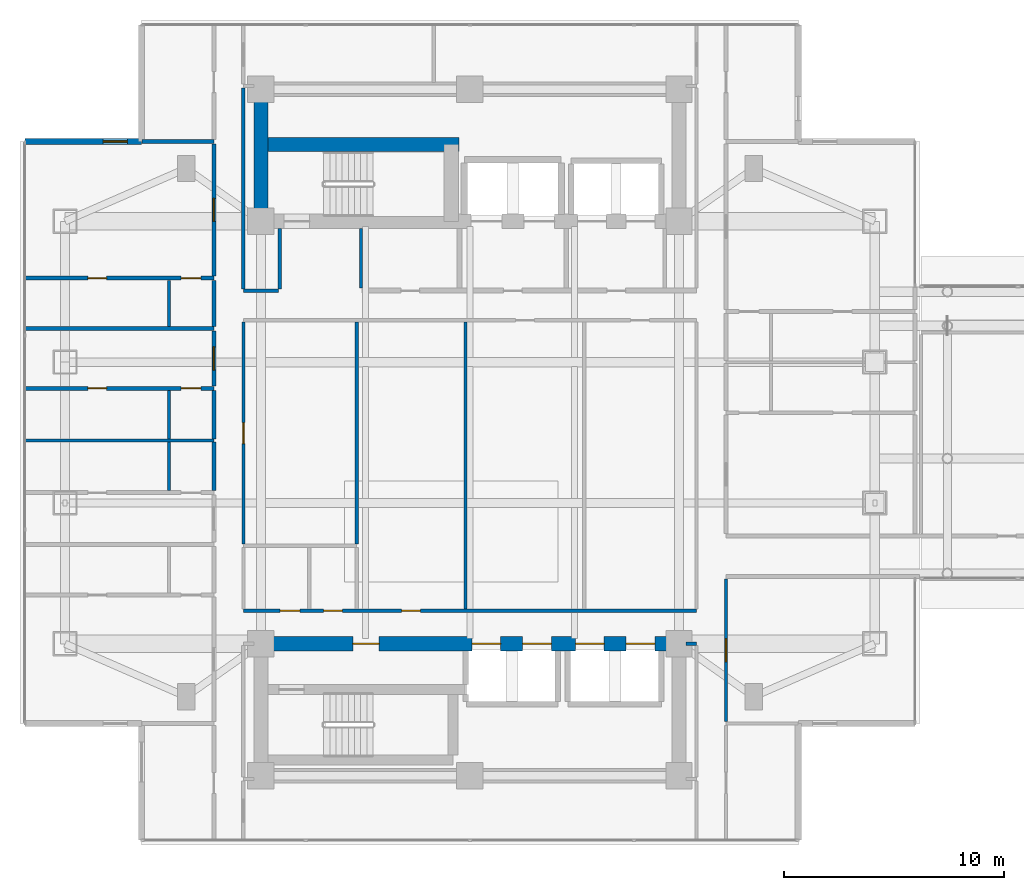
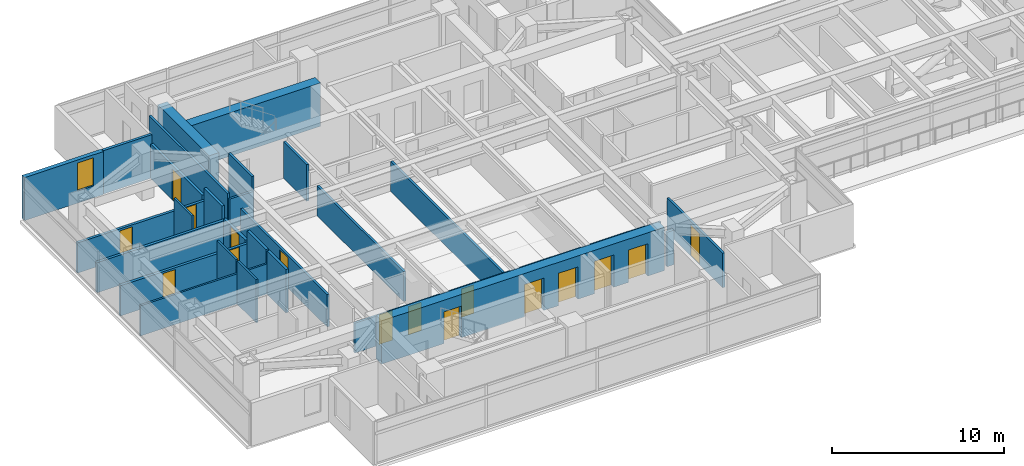
# One storey, part 16 of 29: 27 walls, 16 doors, 1 window, 17 openings.
"""IFC4 building model written with IfcOpenShell, lengths in metres."""

from ifc_helpers import new_model, si_unit, direction, frame, frame_2d, origin, place, context, subcontext, project, spatial, rectangle, extrude, material, layer, layer_set, type_object, element, fill, save


model = new_model("IFC4")

# Units and contexts
model_context = context("Model", 3, precision=1e-05, world=origin(), true_north=direction((0.0, 1.0)))
body_context = subcontext(model_context, "Body", "Model", "MODEL_VIEW")
ifc_project = project(units=[si_unit("LENGTHUNIT", "METRE"), si_unit("AREAUNIT", "SQUARE_METRE"), si_unit("VOLUMEUNIT", "CUBIC_METRE"), si_unit("PLANEANGLEUNIT", "RADIAN"), si_unit("MASSUNIT", "GRAM", prefix="KILO")], contexts=[model_context])

# Site, building, storey
site_placement = place(None, origin())
site = spatial("IfcSite", under=ifc_project, at=site_placement, CompositionType="ELEMENT")
building_placement = place(site_placement, origin())
building = spatial("IfcBuilding", under=site, at=building_placement, Name="Mirazonda Arch Towers", CompositionType="ELEMENT")
storey_placement = place(building_placement, frame((0.0, 0.0, 88.39990234375)))
storey = spatial("IfcBuildingStorey", under=building, at=storey_placement, Name="L24", CompositionType="ELEMENT", Elevation=88.39990234375)

# Walls
ifc_material_1 = material(Name="Concrete C60/75", Category="concrete")
ifc_layer_1 = layer(ifc_material_1, 0.64990234375, Name="WALL-CORE-650")
ifc_layer_set_1 = layer_set([ifc_layer_1], Name="Concrete C60/75")
wall_type_1 = type_object("IfcWallType", Name="WALL-CORE-650", PredefinedType="SHEAR", material=ifc_layer_set_1)
wall_1_placement = place(storey_placement, frame((11.0, 37.60009765625, 0.0), z_axis=(0.0, 0.0, 1.0), x_axis=(0.0, 1.0, 0.0)))
element("IfcWall", 1, at=wall_1_placement, inside=storey, type_object=wall_type_1, Name="L24 T1N-W Core Shear Wall", PredefinedType="SHEAR", context=body_context, shape_type="SweptSolid", body=[
    extrude(rectangle(XDim=6.0, YDim=0.64990234375, at=frame_2d((3.0, 0.0))), origin(), (0.0, 0.0, 1.0), 3.080078125),
])
wall_2_placement = place(storey_placement, frame((11.0, 41.093017578125, 0.0), z_axis=(0.0, 0.0, 1.0), x_axis=(1.0, 0.0, 0.0)))
element("IfcWall", 2, at=wall_2_placement, inside=storey, type_object=wall_type_1, Name="L24 T1N-STN Core Shear Wall", PredefinedType="SHEAR", context=body_context, shape_type="SweptSolid", body=[
    extrude(rectangle(XDim=9.0, YDim=0.64990234375, at=frame_2d((4.5, 0.0))), origin(), (0.0, 0.0, 1.0), 3.080078125),
])

# Wall, openings, doors
wall_3_placement = place(storey_placement, frame((11.0, 18.39990234375, 0.0), z_axis=(0.0, 0.0, 1.0), x_axis=(1.0, 0.0, 0.0)))
wall_3 = element("IfcWall", 3, at=wall_3_placement, inside=storey, type_object=wall_type_1, Name="L24 T1S-N Core Shear Wall", PredefinedType="SHEAR", context=body_context, shape_type="SweptSolid", body=[
    extrude(rectangle(XDim=19.0, YDim=0.64990234375, at=frame_2d((9.5, 0.0))), origin(), (0.0, 0.0, 1.0), 3.080078125),
])
opening_1_placement = place(wall_3_placement, frame((4.175048828125, 0.0, 0.0)))
opening_1 = element("IfcOpeningElement", 4, at=opening_1_placement, cuts=wall_3, Name="Opening DR-117", PredefinedType="OPENING", context=body_context, shape_type="SweptSolid", body=[
    extrude(rectangle(XDim=1.199951171875, YDim=2.25, at=frame_2d((0.60009765625, 1.125))), frame((0.0, 0.3349609375, 0.0), z_axis=(0.0, -1.0, 0.0), x_axis=(1.0, 0.0, 0.0)), (0.0, 0.0, 1.0), 0.669921875),
])
opening_2_placement = place(wall_3_placement, frame((9.60009765625, 0.0, 0.0)))
opening_2 = element("IfcOpeningElement", 5, at=opening_2_placement, cuts=wall_3, Name="Opening LD-111", PredefinedType="OPENING", context=body_context, shape_type="SweptSolid", body=[
    extrude(rectangle(XDim=1.300048828125, YDim=2.300048828125, at=frame_2d((0.64990234375, 1.14990234375))), frame((0.0, 0.3349609375, 0.0), z_axis=(0.0, -1.0, 0.0), x_axis=(1.0, 0.0, 0.0)), (0.0, 0.0, 1.0), 0.669921875),
])
opening_3_placement = place(wall_3_placement, frame((11.89990234375, 0.0, 0.0)))
opening_3 = element("IfcOpeningElement", 6, at=opening_3_placement, cuts=wall_3, Name="Opening LD-111", PredefinedType="OPENING", context=body_context, shape_type="SweptSolid", body=[
    extrude(rectangle(XDim=1.300048828125, YDim=2.300048828125, at=frame_2d((0.64990234375, 1.14990234375))), frame((0.0, 0.3349609375, 0.0), z_axis=(0.0, -1.0, 0.0), x_axis=(1.0, 0.0, 0.0)), (0.0, 0.0, 1.0), 0.669921875),
])
opening_4_placement = place(wall_3_placement, frame((14.300048828125, 0.0, 0.0)))
opening_4 = element("IfcOpeningElement", 7, at=opening_4_placement, cuts=wall_3, Name="Opening LD-111", PredefinedType="OPENING", context=body_context, shape_type="SweptSolid", body=[
    extrude(rectangle(XDim=1.300048828125, YDim=2.300048828125, at=frame_2d((0.64990234375, 1.14990234375))), frame((0.0, 0.3349609375, 0.0), z_axis=(0.0, -1.0, 0.0), x_axis=(1.0, 0.0, 0.0)), (0.0, 0.0, 1.0), 0.669921875),
])
opening_5_placement = place(wall_3_placement, frame((16.60009765625, 0.0, 0.0)))
opening_5 = element("IfcOpeningElement", 8, at=opening_5_placement, cuts=wall_3, Name="Opening LD-111", PredefinedType="OPENING", context=body_context, shape_type="SweptSolid", body=[
    extrude(rectangle(XDim=1.300048828125, YDim=2.300048828125, at=frame_2d((0.64990234375, 1.14990234375))), frame((0.0, 0.3349609375, 0.0), z_axis=(0.0, -1.0, 0.0), x_axis=(1.0, 0.0, 0.0)), (0.0, 0.0, 1.0), 0.669921875),
])
ifc_material_2 = material(Name="Architectural Brushed Steel S355", Category="steel")
door_type_1 = type_object("IfcDoorType", Name="DOOR-FFL-FD90-1200", OperationType="NOTDEFINED", PredefinedType="DOOR", material=ifc_material_2)
door_1_placement = place(opening_1_placement, origin())
door_1 = element("IfcDoor", 9, at=door_1_placement, inside=storey, type_object=door_type_1, Name="L24 South Core Stair & Lift Lobby Door", OperationType="SINGLE_SWING_RIGHT", OverallHeight=2.25, OverallWidth=1.199951171875, PredefinedType="DOOR", context=body_context, shape_type="SweptSolid", body=[
    extrude(rectangle(XDim=1.199951171875, YDim=2.25, at=frame_2d((0.60009765625, 1.125))), frame((0.0, 0.02490234375, 0.0), z_axis=(0.0, -1.0, 0.0), x_axis=(1.0, 0.0, 0.0)), (0.0, 0.0, 1.0), 0.050048828125),
])
fill(opening_1, door_1)
door_type_2 = type_object("IfcDoorType", Name="DOOR-LIFT-LAND-1300", OperationType="NOTDEFINED", PredefinedType="DOOR", material=ifc_material_2)
door_2_placement = place(opening_2_placement, origin())
door_2 = element("IfcDoor", 10, at=door_2_placement, inside=storey, type_object=door_type_2, Name="L24 Lift Landing Sliding Door PL-T1M1", OperationType="DOUBLE_DOOR_SLIDING", OverallHeight=2.300048828125, OverallWidth=1.300048828125, PredefinedType="DOOR", context=body_context, shape_type="SweptSolid", body=[
    extrude(rectangle(XDim=1.300048828125, YDim=2.300048828125, at=frame_2d((0.64990234375, 1.14990234375))), frame((0.0, 0.02490234375, 0.0), z_axis=(0.0, -1.0, 0.0), x_axis=(1.0, 0.0, 0.0)), (0.0, 0.0, 1.0), 0.050048828125),
])
fill(opening_2, door_2)
door_3_placement = place(opening_3_placement, origin())
door_3 = element("IfcDoor", 11, at=door_3_placement, inside=storey, type_object=door_type_2, Name="L24 Lift Landing Sliding Door PL-T1M2", OperationType="DOUBLE_DOOR_SLIDING", OverallHeight=2.300048828125, OverallWidth=1.300048828125, PredefinedType="DOOR", context=body_context, shape_type="SweptSolid", body=[
    extrude(rectangle(XDim=1.300048828125, YDim=2.300048828125, at=frame_2d((0.64990234375, 1.14990234375))), frame((0.0, 0.02490234375, 0.0), z_axis=(0.0, -1.0, 0.0), x_axis=(1.0, 0.0, 0.0)), (0.0, 0.0, 1.0), 0.050048828125),
])
fill(opening_3, door_3)
door_4_placement = place(opening_4_placement, origin())
door_4 = element("IfcDoor", 12, at=door_4_placement, inside=storey, type_object=door_type_2, Name="L24 Lift Landing Sliding Door PL-T1H1", OperationType="DOUBLE_DOOR_SLIDING", OverallHeight=2.300048828125, OverallWidth=1.300048828125, PredefinedType="DOOR", context=body_context, shape_type="SweptSolid", body=[
    extrude(rectangle(XDim=1.300048828125, YDim=2.300048828125, at=frame_2d((0.64990234375, 1.14990234375))), frame((0.0, 0.02490234375, 0.0), z_axis=(0.0, -1.0, 0.0), x_axis=(1.0, 0.0, 0.0)), (0.0, 0.0, 1.0), 0.050048828125),
])
fill(opening_4, door_4)
door_5_placement = place(opening_5_placement, origin())
door_5 = element("IfcDoor", 13, at=door_5_placement, inside=storey, type_object=door_type_2, Name="L24 Lift Landing Sliding Door PL-T1H2", OperationType="DOUBLE_DOOR_SLIDING", OverallHeight=2.300048828125, OverallWidth=1.300048828125, PredefinedType="DOOR", context=body_context, shape_type="SweptSolid", body=[
    extrude(rectangle(XDim=1.300048828125, YDim=2.300048828125, at=frame_2d((0.64990234375, 1.14990234375))), frame((0.0, 0.02490234375, 0.0), z_axis=(0.0, -1.0, 0.0), x_axis=(1.0, 0.0, 0.0)), (0.0, 0.0, 1.0), 0.050048828125),
])
fill(opening_5, door_5)

# Wall, opening, window
ifc_material_3 = material(Name="Precast Concrete C40/50", Category="concrete")
ifc_layer_2 = layer(ifc_material_3, 0.280029296875, Name="WALL-EXT-WALL-280")
ifc_layer_set_2 = layer_set([ifc_layer_2], Name="Precast Concrete C40/50")
wall_type_2 = type_object("IfcWallType", Name="WALL-EXT-WALL-280", PredefinedType="SOLIDWALL", material=ifc_layer_set_2)
wall_4_placement = place(storey_placement, frame((5.574951171875, 41.22509765625, 0.0), z_axis=(0.0, 0.0, 1.0), x_axis=(-1.0, 0.0, 0.0)))
wall_4 = element("IfcWall", 14, at=wall_4_placement, inside=storey, type_object=wall_type_2, Name="L24 T1 Corner Notch Return Wall WL-L24-T1-CNW1", PredefinedType="SOLIDWALL", context=body_context, shape_type="SweptSolid", body=[
    extrude(rectangle(XDim=5.304931640625, YDim=0.280029296875, at=frame_2d((2.65234375, 0.0))), origin(), (0.0, 0.0, 1.0), 3.06005859375),
])
opening_6_placement = place(wall_4_placement, frame((0.64990234375, 0.0, 0.85009765625)))
opening_6 = element("IfcOpeningElement", 15, at=opening_6_placement, cuts=wall_4, Name="Opening WN-108", PredefinedType="OPENING", context=body_context, shape_type="SweptSolid", body=[
    extrude(rectangle(XDim=1.10009765625, YDim=2.0, at=frame_2d((0.550048828125, 1.0))), frame((0.0, 0.14990234375, 0.0), z_axis=(0.0, -1.0, 0.0), x_axis=(1.0, 0.0, 0.0)), (0.0, 0.0, 1.0), 0.300048828125),
])
ifc_material_4 = material(Name="Insulated Low-E Solar Glass", Category="glass")
window_type = type_object("IfcWindowType", Name="WIN-NOTCH-1100x2000", PartitioningType="SINGLE_PANEL", PredefinedType="WINDOW", material=ifc_material_4)
window_placement = place(opening_6_placement, origin())
window = element("IfcWindow", 16, at=window_placement, inside=storey, type_object=window_type, Name="L24 Punched Facade Window WN-L24-T1-CNW1", OverallHeight=2.0, OverallWidth=1.10009765625, PartitioningType="SINGLE_PANEL", PredefinedType="WINDOW", context=body_context, shape_type="SweptSolid", body=[
    extrude(rectangle(XDim=1.10009765625, YDim=2.0, at=frame_2d((0.550048828125, 1.0))), frame((0.0, 0.030029296875, 0.0), z_axis=(0.0, -1.0, 0.0), x_axis=(1.0, 0.0, 0.0)), (0.0, 0.0, 1.0), 0.06005859375),
])
fill(opening_6, window)

# Wall
ifc_material_5 = material(Name="Fire-Rated Gypsum Stud Partition")
ifc_layer_3 = layer(ifc_material_5, 0.14990234375, Name="WALL-PART-CORR-150")
ifc_layer_set_3 = layer_set([ifc_layer_3], Name="Fire-Rated Gypsum Stud Partition")
wall_type_3 = type_object("IfcWallType", Name="WALL-PART-CORR-150", PredefinedType="PARTITIONING", material=ifc_layer_set_3)
wall_5_placement = place(storey_placement, frame((30.320068359375, 18.39990234375, 0.0), z_axis=(0.0, 0.0, 1.0), x_axis=(1.0, 0.0, 0.0)))
element("IfcWall", 17, at=wall_5_placement, inside=storey, type_object=wall_type_3, Name="L24 Interior Partition 013", PredefinedType="PARTITIONING", context=body_context, shape_type="SweptSolid", body=[
    extrude(rectangle(XDim=0.47998046875, YDim=0.14990234375, at=frame_2d((0.239990234375, 0.0))), origin(), (0.0, 0.0, 1.0), 2.4560546875),
])

# Wall, openings, doors
wall_6_placement = place(storey_placement, frame((10.199951171875, 19.89990234375, 0.0), z_axis=(0.0, 0.0, 1.0), x_axis=(1.0, 0.0, 0.0)))
wall_6 = element("IfcWall", 18, at=wall_6_placement, inside=storey, type_object=wall_type_3, Name="L24 Interior Partition 015", PredefinedType="PARTITIONING", context=body_context, shape_type="SweptSolid", body=[
    extrude(rectangle(XDim=20.60009765625, YDim=0.14990234375, at=frame_2d((10.300048828125, 0.0))), origin(), (0.0, 0.0, 1.0), 2.1240234375),
])
opening_7_placement = place(wall_6_placement, frame((1.669921875, 0.0, 0.0)))
opening_7 = element("IfcOpeningElement", 19, at=opening_7_placement, cuts=wall_6, Name="Opening DR-120", PredefinedType="OPENING", context=body_context, shape_type="SweptSolid", body=[
    extrude(rectangle(XDim=0.89990234375, YDim=2.10009765625, at=frame_2d((0.449951171875, 1.050048828125))), frame((0.0, 0.0849609375, 0.0), z_axis=(0.0, -1.0, 0.0), x_axis=(1.0, 0.0, 0.0)), (0.0, 0.0, 1.0), 0.169921875),
])
opening_8_placement = place(wall_6_placement, frame((3.64990234375, 0.0, 0.0)))
opening_8 = element("IfcOpeningElement", 20, at=opening_8_placement, cuts=wall_6, Name="Opening DR-128", PredefinedType="OPENING", context=body_context, shape_type="SweptSolid", body=[
    extrude(rectangle(XDim=0.85009765625, YDim=2.010009765625, at=frame_2d((0.425048828125, 1.0048828125))), frame((0.0, 0.0849609375, 0.0), z_axis=(0.0, -1.0, 0.0), x_axis=(1.0, 0.0, 0.0)), (0.0, 0.0, 1.0), 0.169921875),
])
opening_9_placement = place(wall_6_placement, frame((7.197021484375, 0.0, 0.0)))
opening_9 = element("IfcOpeningElement", 21, at=opening_9_placement, cuts=wall_6, Name="Opening DR-128", PredefinedType="OPENING", context=body_context, shape_type="SweptSolid", body=[
    extrude(rectangle(XDim=0.85009765625, YDim=2.010009765625, at=frame_2d((0.425048828125, 1.0048828125))), frame((0.0, 0.0849609375, 0.0), z_axis=(0.0, -1.0, 0.0), x_axis=(1.0, 0.0, 0.0)), (0.0, 0.0, 1.0), 0.169921875),
])
door_type_3 = type_object("IfcDoorType", Name="DOOR-RISER-FD60-850", OperationType="NOTDEFINED", PredefinedType="DOOR", material=ifc_material_2)
door_6_placement = place(opening_8_placement, origin())
door_6 = element("IfcDoor", 22, at=door_6_placement, inside=storey, type_object=door_type_3, Name="L24 L24 West Courtyard Study Door", OperationType="SINGLE_SWING_LEFT", OverallHeight=2.010009765625, OverallWidth=0.85009765625, PredefinedType="DOOR", context=body_context, shape_type="SweptSolid", body=[
    extrude(rectangle(XDim=0.85009765625, YDim=2.010009765625, at=frame_2d((0.425048828125, 1.0048828125))), frame((0.0, 0.02490234375, 0.0), z_axis=(0.0, -1.0, 0.0), x_axis=(1.0, 0.0, 0.0)), (0.0, 0.0, 1.0), 0.050048828125),
])
fill(opening_8, door_6)
door_7_placement = place(opening_9_placement, origin())
door_7 = element("IfcDoor", 23, at=door_7_placement, inside=storey, type_object=door_type_3, Name="L24 Executive Club Lounge Door", OperationType="SINGLE_SWING_LEFT", OverallHeight=2.010009765625, OverallWidth=0.85009765625, PredefinedType="DOOR", context=body_context, shape_type="SweptSolid", body=[
    extrude(rectangle(XDim=0.85009765625, YDim=2.010009765625, at=frame_2d((0.425048828125, 1.0048828125))), frame((0.0, 0.02490234375, 0.0), z_axis=(0.0, -1.0, 0.0), x_axis=(1.0, 0.0, 0.0)), (0.0, 0.0, 1.0), 0.050048828125),
])
fill(opening_9, door_7)
door_type_4 = type_object("IfcDoorType", Name="DOOR-WC-900", OperationType="NOTDEFINED", PredefinedType="DOOR", material=ifc_material_2)
door_8_placement = place(opening_7_placement, origin())
door_8 = element("IfcDoor", 24, at=door_8_placement, inside=storey, type_object=door_type_4, Name="L24 Common Accessible WC Door", OperationType="SINGLE_SWING_RIGHT", OverallHeight=2.10009765625, OverallWidth=0.89990234375, PredefinedType="DOOR", context=body_context, shape_type="SweptSolid", body=[
    extrude(rectangle(XDim=0.89990234375, YDim=2.10009765625, at=frame_2d((0.449951171875, 1.050048828125))), frame((0.0, 0.02490234375, 0.0), z_axis=(0.0, -1.0, 0.0), x_axis=(1.0, 0.0, 0.0)), (0.0, 0.0, 1.0), 0.050048828125),
])
fill(opening_7, door_8)

# Wall
wall_7_placement = place(storey_placement, frame((10.199951171875, 34.449951171875, 0.0), z_axis=(0.0, 0.0, 1.0), x_axis=(1.0, 0.0, 0.0)))
element("IfcWall", 25, at=wall_7_placement, inside=storey, type_object=wall_type_3, Name="L24 Interior Partition 048", PredefinedType="PARTITIONING", context=body_context, shape_type="SweptSolid", body=[
    extrude(rectangle(XDim=1.60009765625, YDim=0.14990234375, at=frame_2d((0.800048828125, 0.0))), origin(), (0.0, 0.0, 1.0), 2.1240234375),
])

# Wall, opening, door
wall_8_placement = place(storey_placement, frame((10.206787109375, 22.93505859375, 0.0), z_axis=(0.0, 0.0, 1.0), x_axis=(0.0, 1.0, 0.0)))
wall_8 = element("IfcWall", 26, at=wall_8_placement, inside=storey, type_object=wall_type_3, Name="L24 Interior Partition 082", PredefinedType="PARTITIONING", context=body_context, shape_type="SweptSolid", body=[
    extrude(rectangle(XDim=10.079833984375, YDim=0.14990234375, at=frame_2d((5.0400390625, 0.0))), origin(), (0.0, 0.0, 1.0), 2.299072265625),
])
opening_10_placement = place(wall_8_placement, frame((4.56494140625, 0.0, 0.0)))
opening_10 = element("IfcOpeningElement", 27, at=opening_10_placement, cuts=wall_8, Name="Opening DR-104", PredefinedType="OPENING", context=body_context, shape_type="SweptSolid", body=[
    extrude(rectangle(XDim=0.949951171875, YDim=2.14990234375, at=frame_2d((0.47509765625, 1.074951171875))), frame((0.0, 0.0849609375, 0.0), z_axis=(0.0, -1.0, 0.0), x_axis=(1.0, 0.0, 0.0)), (0.0, 0.0, 1.0), 0.169921875),
])
door_type_5 = type_object("IfcDoorType", Name="DOOR-ROOM-950", OperationType="NOTDEFINED", PredefinedType="DOOR", material=ifc_material_2)
door_9_placement = place(opening_10_placement, origin())
door_9 = element("IfcDoor", 28, at=door_9_placement, inside=storey, type_object=door_type_5, Name="L24 L24 West Courtyard Salon Door", OperationType="SINGLE_SWING_RIGHT", OverallHeight=2.14990234375, OverallWidth=0.949951171875, PredefinedType="DOOR", context=body_context, shape_type="SweptSolid", body=[
    extrude(rectangle(XDim=0.949951171875, YDim=2.14990234375, at=frame_2d((0.47509765625, 1.074951171875))), frame((0.0, 0.02490234375, 0.0), z_axis=(0.0, -1.0, 0.0), x_axis=(1.0, 0.0, 0.0)), (0.0, 0.0, 1.0), 0.050048828125),
])
fill(opening_10, door_9)

# Walls
wall_9_placement = place(storey_placement, frame((10.199951171875, 34.534912109375, 0.0), z_axis=(0.0, 0.0, 1.0), x_axis=(0.0, 1.0, 0.0)))
element("IfcWall", 29, at=wall_9_placement, inside=storey, type_object=wall_type_3, Name="L24 Interior Partition 083", PredefinedType="PARTITIONING", context=body_context, shape_type="SweptSolid", body=[
    extrude(rectangle(XDim=9.130126953125, YDim=0.14990234375, at=frame_2d((4.56494140625, 0.0))), origin(), (0.0, 0.0, 1.0), 2.4560546875),
])
wall_10_placement = place(storey_placement, frame((11.85009765625, 34.534912109375, 0.0), z_axis=(0.0, 0.0, 1.0), x_axis=(0.0, 1.0, 0.0)))
element("IfcWall", 30, at=wall_10_placement, inside=storey, type_object=wall_type_3, Name="L24 Interior Partition 085", PredefinedType="PARTITIONING", context=body_context, shape_type="SweptSolid", body=[
    extrude(rectangle(XDim=2.7451171875, YDim=0.14990234375, at=frame_2d((1.37255859375, 0.0))), origin(), (0.0, 0.0, 1.0), 3.080078125),
])
wall_11_placement = place(storey_placement, frame((15.35009765625, 22.93505859375, 0.0), z_axis=(0.0, 0.0, 1.0), x_axis=(0.0, 1.0, 0.0)))
element("IfcWall", 31, at=wall_11_placement, inside=storey, type_object=wall_type_3, Name="L24 Interior Partition 088", PredefinedType="PARTITIONING", context=body_context, shape_type="SweptSolid", body=[
    extrude(rectangle(XDim=10.079833984375, YDim=0.14990234375, at=frame_2d((5.0400390625, 0.0))), origin(), (0.0, 0.0, 1.0), 2.1240234375),
])
wall_12_placement = place(storey_placement, frame((15.550048828125, 34.570068359375, 0.0), z_axis=(0.0, 0.0, 1.0), x_axis=(0.0, 1.0, 0.0)))
element("IfcWall", 32, at=wall_12_placement, inside=storey, type_object=wall_type_3, Name="L24 Interior Partition 089", PredefinedType="PARTITIONING", context=body_context, shape_type="SweptSolid", body=[
    extrude(rectangle(XDim=2.7099609375, YDim=0.14990234375, at=frame_2d((1.35498046875, 0.0))), origin(), (0.0, 0.0, 1.0), 2.609130859375),
])
wall_13_placement = place(storey_placement, frame((20.2939453125, 19.985107421875, 0.0), z_axis=(0.0, 0.0, 1.0), x_axis=(0.0, 1.0, 0.0)))
element("IfcWall", 33, at=wall_13_placement, inside=storey, type_object=wall_type_3, Name="L24 Interior Partition 095", PredefinedType="PARTITIONING", context=body_context, shape_type="SweptSolid", body=[
    extrude(rectangle(XDim=13.02978515625, YDim=0.14990234375, at=frame_2d((6.514892578125, 0.0))), origin(), (0.0, 0.0, 1.0), 2.1240234375),
])

# Wall, opening, door
wall_14_placement = place(storey_placement, frame((32.139892578125, 14.860107421875, 0.0), z_axis=(0.0, 0.0, 1.0), x_axis=(0.0, 1.0, 0.0)))
wall_14 = element("IfcWall", 34, at=wall_14_placement, inside=storey, type_object=wall_type_3, Name="L24 Interior Partition 112", PredefinedType="PARTITIONING", context=body_context, shape_type="SweptSolid", body=[
    extrude(rectangle(XDim=6.489990234375, YDim=0.14990234375, at=frame_2d((3.2451171875, 0.0))), origin(), (0.0, 0.0, 1.0), 2.4560546875),
])
opening_11_placement = place(wall_14_placement, frame((2.719970703125, 0.0, 0.0)))
opening_11 = element("IfcOpeningElement", 35, at=opening_11_placement, cuts=wall_14, Name="Opening DR-121", PredefinedType="OPENING", context=body_context, shape_type="SweptSolid", body=[
    extrude(rectangle(XDim=1.050048828125, YDim=2.199951171875, at=frame_2d((0.52490234375, 1.10009765625))), frame((0.0, 0.0849609375, 0.0), z_axis=(0.0, -1.0, 0.0), x_axis=(1.0, 0.0, 0.0)), (0.0, 0.0, 1.0), 0.169921875),
])
door_type_6 = type_object("IfcDoorType", Name="DOOR-SUITE-FD60-1050", OperationType="NOTDEFINED", PredefinedType="DOOR", material=ifc_material_2)
door_10_placement = place(opening_11_placement, origin())
door_10 = element("IfcDoor", 36, at=door_10_placement, inside=storey, type_object=door_type_6, Name="L24 L24 South-East Sky-Bridge Club Salon Door", OperationType="SINGLE_SWING_LEFT", OverallHeight=2.199951171875, OverallWidth=1.050048828125, PredefinedType="DOOR", context=body_context, shape_type="SweptSolid", body=[
    extrude(rectangle(XDim=1.050048828125, YDim=2.199951171875, at=frame_2d((0.52490234375, 1.10009765625))), frame((0.0, 0.02490234375, 0.0), z_axis=(0.0, -1.0, 0.0), x_axis=(1.0, 0.0, 0.0)), (0.0, 0.0, 1.0), 0.050048828125),
])
fill(opening_11, door_10)

# Wall, openings, doors
ifc_material_6 = material(Name="Fire-Rated Gypsum Twin-Stud Assembly")
ifc_layer_4 = layer(ifc_material_6, 0.179931640625, Name="WALL-PART-DEMISE-180")
ifc_layer_set_4 = layer_set([ifc_layer_4], Name="Fire-Rated Gypsum Twin-Stud Assembly")
wall_type_4 = type_object("IfcWallType", Name="WALL-PART-DEMISE-180", PredefinedType="PARTITIONING", material=ifc_layer_set_4)
wall_15_placement = place(storey_placement, frame((0.27001953125, 30.007080078125, 0.0), z_axis=(0.0, 0.0, 1.0), x_axis=(1.0, 0.0, 0.0)))
wall_15 = element("IfcWall", 37, at=wall_15_placement, inside=storey, type_object=wall_type_4, Name="L24 Interior Partition 038", PredefinedType="PARTITIONING", context=body_context, shape_type="SweptSolid", body=[
    extrude(rectangle(XDim=8.590087890625, YDim=0.179931640625, at=frame_2d((4.294921875, 0.0))), origin(), (0.0, 0.0, 1.0), 2.14501953125),
])
opening_12_placement = place(wall_15_placement, frame((2.8701171875, 0.0, 0.0)))
opening_12 = element("IfcOpeningElement", 38, at=opening_12_placement, cuts=wall_15, Name="Opening DR-128", PredefinedType="OPENING", context=body_context, shape_type="SweptSolid", body=[
    extrude(rectangle(XDim=0.85009765625, YDim=2.010009765625, at=frame_2d((0.425048828125, 1.0048828125))), frame((0.0, 0.099853515625, 0.0), z_axis=(0.0, -1.0, 0.0), x_axis=(1.0, 0.0, 0.0)), (0.0, 0.0, 1.0), 0.199951171875),
])
opening_13_placement = place(wall_15_placement, frame((7.10009765625, 0.0, 0.0)))
opening_13 = element("IfcOpeningElement", 39, at=opening_13_placement, cuts=wall_15, Name="Opening DR-120", PredefinedType="OPENING", context=body_context, shape_type="SweptSolid", body=[
    extrude(rectangle(XDim=0.89990234375, YDim=2.10009765625, at=frame_2d((0.449951171875, 1.050048828125))), frame((0.0, 0.099853515625, 0.0), z_axis=(0.0, -1.0, 0.0), x_axis=(1.0, 0.0, 0.0)), (0.0, 0.0, 1.0), 0.199951171875),
])
door_11_placement = place(opening_12_placement, origin())
door_11 = element("IfcDoor", 40, at=door_11_placement, inside=storey, type_object=door_type_3, Name="L24 Guestroom Study 3 Door", OperationType="SINGLE_SWING_RIGHT", OverallHeight=2.010009765625, OverallWidth=0.85009765625, PredefinedType="DOOR", context=body_context, shape_type="SweptSolid", body=[
    extrude(rectangle(XDim=0.85009765625, YDim=2.010009765625, at=frame_2d((0.425048828125, 1.0048828125))), frame((0.0, 0.02490234375, 0.0), z_axis=(0.0, -1.0, 0.0), x_axis=(1.0, 0.0, 0.0)), (0.0, 0.0, 1.0), 0.050048828125),
])
fill(opening_12, door_11)
door_12_placement = place(opening_13_placement, origin())
door_12 = element("IfcDoor", 41, at=door_12_placement, inside=storey, type_object=door_type_4, Name="L24 En-Suite Bathroom 3 Door", OperationType="SINGLE_SWING_LEFT", OverallHeight=2.10009765625, OverallWidth=0.89990234375, PredefinedType="DOOR", context=body_context, shape_type="SweptSolid", body=[
    extrude(rectangle(XDim=0.89990234375, YDim=2.10009765625, at=frame_2d((0.449951171875, 1.050048828125))), frame((0.0, 0.02490234375, 0.0), z_axis=(0.0, -1.0, 0.0), x_axis=(1.0, 0.0, 0.0)), (0.0, 0.0, 1.0), 0.050048828125),
])
fill(opening_13, door_12)

# Wall
wall_16_placement = place(storey_placement, frame((0.27001953125, 32.718994140625, 0.0), z_axis=(0.0, 0.0, 1.0), x_axis=(1.0, 0.0, 0.0)))
element("IfcWall", 42, at=wall_16_placement, inside=storey, type_object=wall_type_4, Name="L24 Interior Partition 045", PredefinedType="PARTITIONING", context=body_context, shape_type="SweptSolid", body=[
    extrude(rectangle(XDim=8.590087890625, YDim=0.179931640625, at=frame_2d((4.294921875, 0.0))), origin(), (0.0, 0.0, 1.0), 2.14501953125),
])

# Wall, openings, doors
wall_17_placement = place(storey_placement, frame((0.27001953125, 35.01904296875, 0.0), z_axis=(0.0, 0.0, 1.0), x_axis=(1.0, 0.0, 0.0)))
wall_17 = element("IfcWall", 43, at=wall_17_placement, inside=storey, type_object=wall_type_4, Name="L24 Interior Partition 050", PredefinedType="PARTITIONING", context=body_context, shape_type="SweptSolid", body=[
    extrude(rectangle(XDim=8.590087890625, YDim=0.179931640625, at=frame_2d((4.294921875, 0.0))), origin(), (0.0, 0.0, 1.0), 2.14501953125),
])
opening_14_placement = place(wall_17_placement, frame((2.8701171875, 0.0, 0.0)))
opening_14 = element("IfcOpeningElement", 44, at=opening_14_placement, cuts=wall_17, Name="Opening DR-128", PredefinedType="OPENING", context=body_context, shape_type="SweptSolid", body=[
    extrude(rectangle(XDim=0.85009765625, YDim=2.010009765625, at=frame_2d((0.425048828125, 1.0048828125))), frame((0.0, 0.099853515625, 0.0), z_axis=(0.0, -1.0, 0.0), x_axis=(1.0, 0.0, 0.0)), (0.0, 0.0, 1.0), 0.199951171875),
])
opening_15_placement = place(wall_17_placement, frame((7.10009765625, 0.0, 0.0)))
opening_15 = element("IfcOpeningElement", 45, at=opening_15_placement, cuts=wall_17, Name="Opening DR-120", PredefinedType="OPENING", context=body_context, shape_type="SweptSolid", body=[
    extrude(rectangle(XDim=0.89990234375, YDim=2.10009765625, at=frame_2d((0.449951171875, 1.050048828125))), frame((0.0, 0.099853515625, 0.0), z_axis=(0.0, -1.0, 0.0), x_axis=(1.0, 0.0, 0.0)), (0.0, 0.0, 1.0), 0.199951171875),
])
door_13_placement = place(opening_14_placement, origin())
door_13 = element("IfcDoor", 46, at=door_13_placement, inside=storey, type_object=door_type_3, Name="L24 Guestroom Study 4 Door", OperationType="SINGLE_SWING_LEFT", OverallHeight=2.010009765625, OverallWidth=0.85009765625, PredefinedType="DOOR", context=body_context, shape_type="SweptSolid", body=[
    extrude(rectangle(XDim=0.85009765625, YDim=2.010009765625, at=frame_2d((0.425048828125, 1.0048828125))), frame((0.0, 0.02490234375, 0.0), z_axis=(0.0, -1.0, 0.0), x_axis=(1.0, 0.0, 0.0)), (0.0, 0.0, 1.0), 0.050048828125),
])
fill(opening_14, door_13)
door_14_placement = place(opening_15_placement, origin())
door_14 = element("IfcDoor", 47, at=door_14_placement, inside=storey, type_object=door_type_4, Name="L24 En-Suite Bathroom 4 Door", OperationType="SINGLE_SWING_RIGHT", OverallHeight=2.10009765625, OverallWidth=0.89990234375, PredefinedType="DOOR", context=body_context, shape_type="SweptSolid", body=[
    extrude(rectangle(XDim=0.89990234375, YDim=2.10009765625, at=frame_2d((0.449951171875, 1.050048828125))), frame((0.0, 0.02490234375, 0.0), z_axis=(0.0, -1.0, 0.0), x_axis=(1.0, 0.0, 0.0)), (0.0, 0.0, 1.0), 0.050048828125),
])
fill(opening_15, door_14)

# Walls
wall_18_placement = place(storey_placement, frame((5.594970703125, 41.22509765625, 0.0), z_axis=(0.0, 0.0, 1.0), x_axis=(1.0, 0.0, 0.0)))
element("IfcWall", 48, at=wall_18_placement, inside=storey, type_object=wall_type_4, Name="L24 Interior Partition 061", PredefinedType="PARTITIONING", context=body_context, shape_type="SweptSolid", body=[
    extrude(rectangle(XDim=3.26513671875, YDim=0.179931640625, at=frame_2d((1.632568359375, 0.0))), origin(), (0.0, 0.0, 1.0), 3.080078125),
])
for number, where, z_axis, x_axis, name in (
    (49, (8.860107421875, 25.366943359375, 0.0), (0.0, 0.0, 1.0), (0.0, 1.0, 0.0), "L24 Interior Partition 073"),
    (50, (8.860107421875, 27.70947265625, 0.0), (0.0, 0.0, 1.0), (0.0, 1.0, 0.0), "L24 Interior Partition 074"),
):
    element("IfcWall", number, at=place(storey_placement, frame(where, z_axis=z_axis, x_axis=x_axis)), inside=storey, type_object=wall_type_4, Name=name, PredefinedType="PARTITIONING", context=body_context, shape_type="SweptSolid", body=[
        extrude(rectangle(XDim=2.197509765625, YDim=0.179931640625, at=frame_2d((1.0986328125, 0.0))), origin(), (0.0, 0.0, 1.0), 3.080078125),
    ])

# Wall, opening, door
wall_19_placement = place(storey_placement, frame((8.860107421875, 30.10693359375, 0.0), z_axis=(0.0, 0.0, 1.0), x_axis=(0.0, 1.0, 0.0)))
wall_19 = element("IfcWall", 51, at=wall_19_placement, inside=storey, type_object=wall_type_4, Name="L24 Interior Partition 075", PredefinedType="PARTITIONING", context=body_context, shape_type="SweptSolid", body=[
    extrude(rectangle(XDim=2.511962890625, YDim=0.179931640625, at=frame_2d((1.255859375, 0.0))), origin(), (0.0, 0.0, 1.0), 2.299072265625),
])
opening_16_placement = place(wall_19_placement, frame((0.73095703125, 0.0, 0.0)))
opening_16 = element("IfcOpeningElement", 52, at=opening_16_placement, cuts=wall_19, Name="Opening DR-121", PredefinedType="OPENING", context=body_context, shape_type="SweptSolid", body=[
    extrude(rectangle(XDim=1.050048828125, YDim=2.199951171875, at=frame_2d((0.52490234375, 1.10009765625))), frame((0.0, 0.099853515625, 0.0), z_axis=(0.0, -1.0, 0.0), x_axis=(1.0, 0.0, 0.0)), (0.0, 0.0, 1.0), 0.199951171875),
])
door_15_placement = place(opening_16_placement, origin())
door_15 = element("IfcDoor", 53, at=door_15_placement, inside=storey, type_object=door_type_6, Name="L24 King Hotel Guestroom 3 Door", OperationType="SINGLE_SWING_LEFT", OverallHeight=2.199951171875, OverallWidth=1.050048828125, PredefinedType="DOOR", context=body_context, shape_type="SweptSolid", body=[
    extrude(rectangle(XDim=1.050048828125, YDim=2.199951171875, at=frame_2d((0.52490234375, 1.10009765625))), frame((0.0, 0.02490234375, 0.0), z_axis=(0.0, -1.0, 0.0), x_axis=(1.0, 0.0, 0.0)), (0.0, 0.0, 1.0), 0.050048828125),
])
fill(opening_16, door_15)

# Wall
wall_20_placement = place(storey_placement, frame((8.860107421875, 32.819091796875, 0.0), z_axis=(0.0, 0.0, 1.0), x_axis=(0.0, 1.0, 0.0)))
element("IfcWall", 54, at=wall_20_placement, inside=storey, type_object=wall_type_4, Name="L24 Interior Partition 076", PredefinedType="PARTITIONING", context=body_context, shape_type="SweptSolid", body=[
    extrude(rectangle(XDim=2.099853515625, YDim=0.179931640625, at=frame_2d((1.0498046875, 0.0))), origin(), (0.0, 0.0, 1.0), 3.080078125),
])

# Wall, opening, door
wall_21_placement = place(storey_placement, frame((8.860107421875, 35.118896484375, 0.0), z_axis=(0.0, 0.0, 1.0), x_axis=(0.0, 1.0, 0.0)))
wall_21 = element("IfcWall", 55, at=wall_21_placement, inside=storey, type_object=wall_type_4, Name="L24 Interior Partition 077", PredefinedType="PARTITIONING", context=body_context, shape_type="SweptSolid", body=[
    extrude(rectangle(XDim=6.006103515625, YDim=0.179931640625, at=frame_2d((3.0029296875, 0.0))), origin(), (0.0, 0.0, 1.0), 2.4560546875),
])
opening_17_placement = place(wall_21_placement, frame((2.47802734375, 0.0, 0.0)))
opening_17 = element("IfcOpeningElement", 56, at=opening_17_placement, cuts=wall_21, Name="Opening DR-121", PredefinedType="OPENING", context=body_context, shape_type="SweptSolid", body=[
    extrude(rectangle(XDim=1.050048828125, YDim=2.199951171875, at=frame_2d((0.52490234375, 1.10009765625))), frame((0.0, 0.099853515625, 0.0), z_axis=(0.0, -1.0, 0.0), x_axis=(1.0, 0.0, 0.0)), (0.0, 0.0, 1.0), 0.199951171875),
])
door_16_placement = place(opening_17_placement, origin())
door_16 = element("IfcDoor", 57, at=door_16_placement, inside=storey, type_object=door_type_6, Name="L24 Twin Hotel Guestroom 4 Door", OperationType="SINGLE_SWING_RIGHT", OverallHeight=2.199951171875, OverallWidth=1.050048828125, PredefinedType="DOOR", context=body_context, shape_type="SweptSolid", body=[
    extrude(rectangle(XDim=1.050048828125, YDim=2.199951171875, at=frame_2d((0.52490234375, 1.10009765625))), frame((0.0, 0.02490234375, 0.0), z_axis=(0.0, -1.0, 0.0), x_axis=(1.0, 0.0, 0.0)), (0.0, 0.0, 1.0), 0.050048828125),
])
fill(opening_17, door_16)

# Walls
ifc_material_7 = material(Name="Acoustic Fire-Rated Gypsum Partition")
ifc_layer_5 = layer(ifc_material_7, 0.125, Name="WALL-PART-UNIT-125")
ifc_layer_set_5 = layer_set([ifc_layer_5], Name="Acoustic Fire-Rated Gypsum Partition")
wall_type_5 = type_object("IfcWallType", Name="WALL-PART-UNIT-125", PredefinedType="PARTITIONING", material=ifc_layer_set_5)
wall_22_placement = place(storey_placement, frame((0.27001953125, 27.636962890625, 0.0), z_axis=(0.0, 0.0, 1.0), x_axis=(1.0, 0.0, 0.0)))
element("IfcWall", 58, at=wall_22_placement, inside=storey, type_object=wall_type_5, Name="L24 Interior Partition 034", PredefinedType="PARTITIONING", context=body_context, shape_type="SweptSolid", body=[
    extrude(rectangle(XDim=8.590087890625, YDim=0.125, at=frame_2d((4.294921875, 0.0))), origin(), (0.0, 0.0, 1.0), 2.14501953125),
])
for number, where, z_axis, x_axis, name in (
    (59, (6.820068359375, 25.366943359375, 0.0), (0.0, 0.0, 1.0), (0.0, 1.0, 0.0), "L24 Interior Partition 066"),
    (60, (6.820068359375, 27.70947265625, 0.0), (0.0, 0.0, 1.0), (0.0, 1.0, 0.0), "L24 Interior Partition 067"),
):
    element("IfcWall", number, at=place(storey_placement, frame(where, z_axis=z_axis, x_axis=x_axis)), inside=storey, type_object=wall_type_5, Name=name, PredefinedType="PARTITIONING", context=body_context, shape_type="SweptSolid", body=[
        extrude(rectangle(XDim=2.197509765625, YDim=0.125, at=frame_2d((1.0986328125, 0.0))), origin(), (0.0, 0.0, 1.0), 3.080078125),
    ])
wall_23_placement = place(storey_placement, frame((6.820068359375, 32.819091796875, 0.0), z_axis=(0.0, 0.0, 1.0), x_axis=(0.0, 1.0, 0.0)))
element("IfcWall", 61, at=wall_23_placement, inside=storey, type_object=wall_type_5, Name="L24 Interior Partition 068", PredefinedType="PARTITIONING", context=body_context, shape_type="SweptSolid", body=[
    extrude(rectangle(XDim=2.099853515625, YDim=0.125, at=frame_2d((1.0498046875, 0.0))), origin(), (0.0, 0.0, 1.0), 3.080078125),
])

save(model, "model.ifc")
